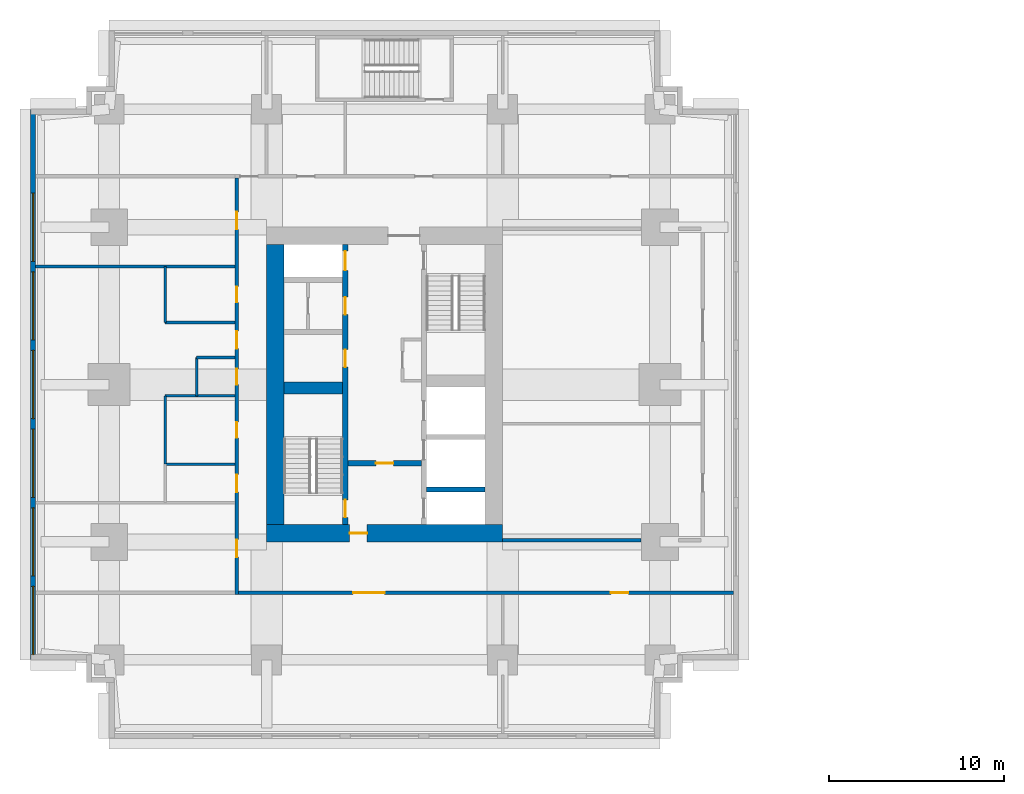
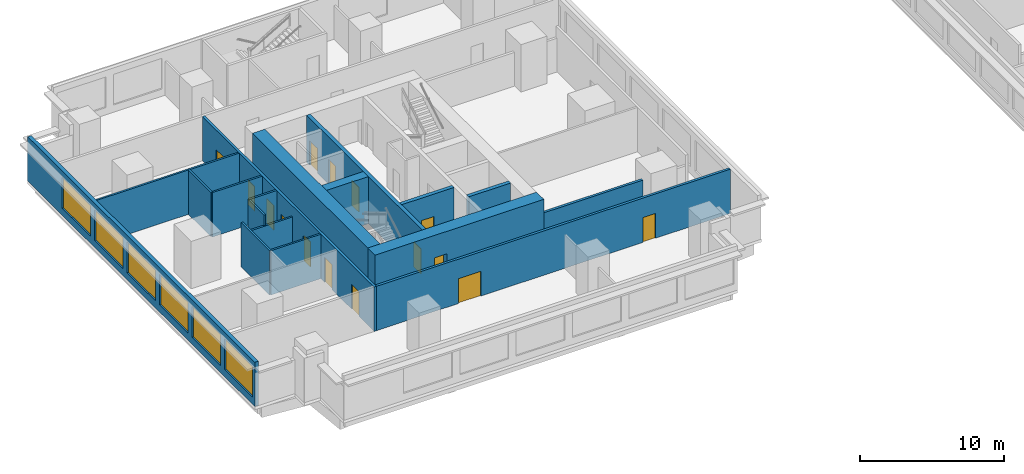
# One storey, part 3 of 10: 18 walls, 15 doors, 6 windows, 21 openings.
"""IFC4 building model written with IfcOpenShell, lengths in metres."""

from ifc_helpers import new_model, si_unit, direction, frame, frame_2d, origin, place, context, subcontext, project, spatial, rectangle, extrude, material, layer, layer_set, type_object, element, fill, save


model = new_model("IFC4")

# Units and contexts
model_context = context("Model", 3, precision=1e-05, world=origin(), true_north=direction((0.0, 1.0)))
body_context = subcontext(model_context, "Body", "Model", "MODEL_VIEW")
ifc_project = project(units=[si_unit("LENGTHUNIT", "METRE"), si_unit("AREAUNIT", "SQUARE_METRE"), si_unit("VOLUMEUNIT", "CUBIC_METRE"), si_unit("PLANEANGLEUNIT", "RADIAN"), si_unit("MASSUNIT", "GRAM", prefix="KILO")], contexts=[model_context])

# Site, building, storey
site_placement = place(None, origin())
site = spatial("IfcSite", under=ifc_project, at=site_placement, CompositionType="ELEMENT")
building_placement = place(site_placement, origin())
building = spatial("IfcBuilding", under=site, at=building_placement, Name="Namib Vertical Campus", CompositionType="ELEMENT")
storey_placement = place(building_placement, frame((0.0, 0.0, 161.0)))
storey = spatial("IfcBuildingStorey", under=building, at=storey_placement, Name="L38", CompositionType="ELEMENT", Elevation=161.0)

# Wall, openings, doors
ifc_material_1 = material(Name="Concrete C60/75", Category="concrete")
ifc_layer_1 = layer(ifc_material_1, 0.300048828125)
ifc_layer_set_1 = layer_set([ifc_layer_1], Name="Concrete C60/75")
wall_type_1 = type_object("IfcWallType", Name="Core inner wall 300", PredefinedType="SHEAR", material=ifc_layer_set_1)
wall_1_placement = place(storey_placement, frame((18.0, 12.25, 0.0), z_axis=(0.0, 0.0, 1.0), x_axis=(0.0, 1.0, 0.0)))
wall_1 = element("IfcWall", 1, at=wall_1_placement, inside=storey, type_object=wall_type_1, Name="Core inner wall A L38 W1", PredefinedType="SHEAR", context=body_context, shape_type="SweptSolid", body=[
    extrude(rectangle(XDim=16.0, YDim=0.300048828125, at=frame_2d((8.0, 0.0))), origin(), (0.0, 0.0, 1.0), 4.0),
])
opening_1_placement = place(wall_1_placement, frame((0.39990234375, 0.0, 0.0)))
opening_1 = element("IfcOpeningElement", 2, at=opening_1_placement, cuts=wall_1, Name="Opening FD1", PredefinedType="OPENING", context=body_context, shape_type="SweptSolid", body=[
    extrude(rectangle(XDim=1.0, YDim=2.10009765625, at=frame_2d((0.5, 1.050048828125))), frame((0.0, 0.159912109375, 0.0), z_axis=(0.0, -1.0, 0.0), x_axis=(1.0, 0.0, 0.0)), (0.0, 0.0, 1.0), 0.320068359375),
])
opening_2_placement = place(wall_1_placement, frame((14.52490234375, 0.0, 0.0)))
opening_2 = element("IfcOpeningElement", 3, at=opening_2_placement, cuts=wall_1, Name="Opening LD1", PredefinedType="OPENING", context=body_context, shape_type="SweptSolid", body=[
    extrude(rectangle(XDim=1.10009765625, YDim=2.10009765625, at=frame_2d((0.550048828125, 1.050048828125))), frame((0.0, 0.159912109375, 0.0), z_axis=(0.0, -1.0, 0.0), x_axis=(1.0, 0.0, 0.0)), (0.0, 0.0, 1.0), 0.320068359375),
])
opening_3_placement = place(wall_1_placement, frame((9.0, 0.0, 0.0)))
opening_3 = element("IfcOpeningElement", 4, at=opening_3_placement, cuts=wall_1, Name="Opening D1", PredefinedType="OPENING", context=body_context, shape_type="SweptSolid", body=[
    extrude(rectangle(XDim=1.0, YDim=2.10009765625, at=frame_2d((0.5, 1.050048828125))), frame((0.0, 0.159912109375, 0.0), z_axis=(0.0, -1.0, 0.0), x_axis=(1.0, 0.0, 0.0)), (0.0, 0.0, 1.0), 0.320068359375),
])
opening_4_placement = place(wall_1_placement, frame((12.0, 0.0, 0.0)))
opening_4 = element("IfcOpeningElement", 5, at=opening_4_placement, cuts=wall_1, Name="Opening D1", PredefinedType="OPENING", context=body_context, shape_type="SweptSolid", body=[
    extrude(rectangle(XDim=1.0, YDim=2.10009765625, at=frame_2d((0.5, 1.050048828125))), frame((0.0, 0.159912109375, 0.0), z_axis=(0.0, -1.0, 0.0), x_axis=(1.0, 0.0, 0.0)), (0.0, 0.0, 1.0), 0.320068359375),
])
ifc_material_2 = material(Name="Timber door leaf", Category="wood")
door_type_1 = type_object("IfcDoorType", Name="Door single 1000x2100", OperationType="SINGLE_SWING_LEFT", PredefinedType="DOOR", material=ifc_material_2)
door_1_placement = place(opening_3_placement, origin())
door_1 = element("IfcDoor", 6, at=door_1_placement, inside=storey, type_object=door_type_1, Name="Door D1 Comms room A L38 P1", OperationType="SINGLE_SWING_LEFT", OverallHeight=2.10009765625, OverallWidth=1.0, PredefinedType="DOOR", context=body_context, shape_type="SweptSolid", body=[
    extrude(rectangle(XDim=1.0, YDim=2.10009765625, at=frame_2d((0.5, 1.050048828125))), frame((0.0, 0.02490234375, 0.0), z_axis=(0.0, -1.0, 0.0), x_axis=(1.0, 0.0, 0.0)), (0.0, 0.0, 1.0), 0.050048828125),
])
fill(opening_3, door_1)
door_2_placement = place(opening_4_placement, origin())
door_2 = element("IfcDoor", 7, at=door_2_placement, inside=storey, type_object=door_type_1, Name="Door D1 Store A L38 P2", OperationType="SINGLE_SWING_LEFT", OverallHeight=2.10009765625, OverallWidth=1.0, PredefinedType="DOOR", context=body_context, shape_type="SweptSolid", body=[
    extrude(rectangle(XDim=1.0, YDim=2.10009765625, at=frame_2d((0.5, 1.050048828125))), frame((0.0, 0.02490234375, 0.0), z_axis=(0.0, -1.0, 0.0), x_axis=(1.0, 0.0, 0.0)), (0.0, 0.0, 1.0), 0.050048828125),
])
fill(opening_4, door_2)
ifc_material_3 = material(Name="Steel fire door", Category="steel")
door_type_2 = type_object("IfcDoorType", Name="Fire door 1000x2100", OperationType="SINGLE_SWING_RIGHT", PredefinedType="DOOR", material=ifc_material_3)
door_3_placement = place(opening_1_placement, origin())
door_3 = element("IfcDoor", 8, at=door_3_placement, inside=storey, type_object=door_type_2, Name="Stair door FD1 A L38 S1", OperationType="SINGLE_SWING_LEFT", OverallHeight=2.10009765625, OverallWidth=1.0, PredefinedType="DOOR", context=body_context, shape_type="SweptSolid", body=[
    extrude(rectangle(XDim=1.0, YDim=2.10009765625, at=frame_2d((0.5, 1.050048828125))), frame((0.0, 0.02490234375, 0.0), z_axis=(0.0, -1.0, 0.0), x_axis=(1.0, 0.0, 0.0)), (0.0, 0.0, 1.0), 0.050048828125),
])
fill(opening_1, door_3)
ifc_material_4 = material(Name="Stainless steel lift door", Category="steel")
door_type_3 = type_object("IfcDoorType", Name="Lift landing door 1100x2100", OperationType="DOUBLE_DOOR_SLIDING", PredefinedType="DOOR", material=ifc_material_4)
door_4_placement = place(opening_2_placement, origin())
door_4 = element("IfcDoor", 9, at=door_4_placement, inside=storey, type_object=door_type_3, Name="Lift landing door LD1 A-P3 L38", OperationType="DOUBLE_DOOR_SLIDING", OverallHeight=2.10009765625, OverallWidth=1.10009765625, PredefinedType="DOOR", context=body_context, shape_type="SweptSolid", body=[
    extrude(rectangle(XDim=1.10009765625, YDim=2.10009765625, at=frame_2d((0.550048828125, 1.050048828125))), frame((0.0, 0.02490234375, 0.0), z_axis=(0.0, -1.0, 0.0), x_axis=(1.0, 0.0, 0.0)), (0.0, 0.0, 1.0), 0.050048828125),
])
fill(opening_2, door_4)

# Wall, opening, door
wall_2_placement = place(storey_placement, frame((18.14990234375, 15.75, 0.0), z_axis=(0.0, 0.0, 1.0), x_axis=(1.0, 0.0, 0.0)))
wall_2 = element("IfcWall", 10, at=wall_2_placement, inside=storey, type_object=wall_type_1, Name="Core inner wall A L38 W4", PredefinedType="SHEAR", context=body_context, shape_type="SweptSolid", body=[
    extrude(rectangle(XDim=4.2001953125, YDim=0.300048828125, at=frame_2d((2.10009765625, 0.0))), origin(), (0.0, 0.0, 1.0), 4.0),
])
opening_5_placement = place(wall_2_placement, frame((1.60009765625, 0.0, 0.0)))
opening_5 = element("IfcOpeningElement", 11, at=opening_5_placement, cuts=wall_2, Name="Opening FD5", PredefinedType="OPENING", context=body_context, shape_type="SweptSolid", body=[
    extrude(rectangle(XDim=1.0, YDim=2.10009765625, at=frame_2d((0.5, 1.050048828125))), frame((0.0, 0.159912109375, 0.0), z_axis=(0.0, -1.0, 0.0), x_axis=(1.0, 0.0, 0.0)), (0.0, 0.0, 1.0), 0.320068359375),
])
ifc_material_5 = material(Name="Steel fire door", Category="steel")
door_type_4 = type_object("IfcDoorType", Name="Fire door 1000x2100 120 min", OperationType="SINGLE_SWING_RIGHT", PredefinedType="DOOR", material=ifc_material_5)
door_5_placement = place(opening_5_placement, frame((1.0, 0.0, 0.0), z_axis=(0.0, 0.0, 1.0), x_axis=(-1.0, 0.0, 0.0)))
door_5 = element("IfcDoor", 12, at=door_5_placement, inside=storey, type_object=door_type_4, Name="Lobby door FD5 A L38", OperationType="SINGLE_SWING_RIGHT", OverallHeight=2.10009765625, OverallWidth=1.0, PredefinedType="DOOR", context=body_context, shape_type="SweptSolid", body=[
    extrude(rectangle(XDim=1.0, YDim=2.10009765625, at=frame_2d((0.5, 1.050048828125))), frame((0.0, 0.02490234375, 0.0), z_axis=(0.0, -1.0, 0.0), x_axis=(1.0, 0.0, 0.0)), (0.0, 0.0, 1.0), 0.050048828125),
])
fill(opening_5, door_5)

# Walls
wall_3_placement = place(storey_placement, frame((22.64990234375, 14.25, 0.0), z_axis=(0.0, 0.0, 1.0), x_axis=(1.0, 0.0, 0.0)))
element("IfcWall", 13, at=wall_3_placement, inside=storey, type_object=wall_type_1, Name="Core inner wall A L38 W5", PredefinedType="SHEAR", context=body_context, shape_type="SweptSolid", body=[
    extrude(rectangle(XDim=3.35009765625, YDim=0.300048828125, at=frame_2d((1.675048828125, 0.0))), origin(), (0.0, 0.0, 1.0), 4.0),
])
ifc_material_6 = material(Name="Concrete C60/75", Category="concrete")
ifc_layer_2 = layer(ifc_material_6, 0.699951171875)
ifc_layer_set_2 = layer_set([ifc_layer_2], Name="Concrete C60/75")
wall_type_2 = type_object("IfcWallType", Name="Core shear wall 700", PredefinedType="SHEAR", material=ifc_layer_set_2)
wall_4_placement = place(storey_placement, frame((14.5, 20.050048828125, 0.0), z_axis=(0.0, 0.0, 1.0), x_axis=(1.0, 0.0, 0.0)))
element("IfcWall", 14, at=wall_4_placement, inside=storey, type_object=wall_type_2, Name="Core shear wall A L38 W3", PredefinedType="SHEAR", context=body_context, shape_type="SweptSolid", body=[
    extrude(rectangle(XDim=3.35009765625, YDim=0.699951171875, at=frame_2d((1.675048828125, 0.0))), origin(), (0.0, 0.0, 1.0), 4.0),
])

# Wall, opening, door
ifc_material_7 = material(Name="Concrete C60/75", Category="concrete")
ifc_layer_3 = layer(ifc_material_7, 1.0)
ifc_layer_set_3 = layer_set([ifc_layer_3], Name="Concrete C60/75")
wall_type_3 = type_object("IfcWallType", Name="Core wall 1000", PredefinedType="SHEAR", material=ifc_layer_set_3)
wall_5_placement = place(storey_placement, frame((13.5, 11.75, 0.0), z_axis=(0.0, 0.0, 1.0), x_axis=(1.0, 0.0, 0.0)))
wall_5 = element("IfcWall", 15, at=wall_5_placement, inside=storey, type_object=wall_type_3, Name="Core wall A L38 1", PredefinedType="SHEAR", context=body_context, shape_type="SweptSolid", body=[
    extrude(rectangle(XDim=13.5, YDim=1.0, at=frame_2d((6.75, 0.0))), origin(), (0.0, 0.0, 1.0), 4.0),
])
opening_6_placement = place(wall_5_placement, frame((4.75, 0.0, 0.0)))
opening_6 = element("IfcOpeningElement", 16, at=opening_6_placement, cuts=wall_5, Name="Opening FD5", PredefinedType="OPENING", context=body_context, shape_type="SweptSolid", body=[
    extrude(rectangle(XDim=1.0, YDim=2.10009765625, at=frame_2d((0.5, 1.050048828125))), frame((0.0, 0.510009765625, 0.0), z_axis=(0.0, -1.0, 0.0), x_axis=(1.0, 0.0, 0.0)), (0.0, 0.0, 1.0), 1.02001953125),
])
door_6_placement = place(opening_6_placement, origin())
door_6 = element("IfcDoor", 17, at=door_6_placement, inside=storey, type_object=door_type_4, Name="Firefighting lobby door FD5 A L38", OperationType="SINGLE_SWING_LEFT", OverallHeight=2.10009765625, OverallWidth=1.0, PredefinedType="DOOR", context=body_context, shape_type="SweptSolid", body=[
    extrude(rectangle(XDim=1.0, YDim=2.10009765625, at=frame_2d((0.5, 1.050048828125))), frame((0.0, 0.02490234375, 0.0), z_axis=(0.0, -1.0, 0.0), x_axis=(1.0, 0.0, 0.0)), (0.0, 0.0, 1.0), 0.050048828125),
])
fill(opening_6, door_6)

# Wall
wall_6_placement = place(storey_placement, frame((14.0, 28.25, 0.0), z_axis=(0.0, 0.0, 1.0), x_axis=(0.0, -1.0, 0.0)))
element("IfcWall", 18, at=wall_6_placement, inside=storey, type_object=wall_type_3, Name="Core wall A L38 4", PredefinedType="SHEAR", context=body_context, shape_type="SweptSolid", body=[
    extrude(rectangle(XDim=16.0, YDim=1.0, at=frame_2d((8.0, 0.0))), origin(), (0.0, 0.0, 1.0), 4.0),
])

# Wall, openings, doors
ifc_material_8 = material(Name="Concrete masonry", Category="masonry")
ifc_layer_4 = layer(ifc_material_8, 0.199951171875)
ifc_layer_set_4 = layer_set([ifc_layer_4], Name="Corridor wall 200")
wall_type_4 = type_object("IfcWallType", Name="Corridor wall 200", PredefinedType="SOLIDWALL", material=ifc_layer_set_4)
wall_7_placement = place(storey_placement, frame((11.89990234375, 8.35009765625, 0.0), z_axis=(0.0, 0.0, 1.0), x_axis=(1.0, 0.0, 0.0)))
wall_7 = element("IfcWall", 19, at=wall_7_placement, inside=storey, type_object=wall_type_4, Name="Corridor wall A L38 CS", PredefinedType="SOLIDWALL", context=body_context, shape_type="SweptSolid", body=[
    extrude(rectangle(XDim=28.300048828125, YDim=0.199951171875, at=frame_2d((14.14990234375, 0.0))), origin(), (0.0, 0.0, 1.0), 3.75),
])
opening_7_placement = place(wall_7_placement, frame((6.550048828125, 0.0, 0.0)))
opening_7 = element("IfcOpeningElement", 20, at=opening_7_placement, cuts=wall_7, Name="Opening CD2", PredefinedType="OPENING", context=body_context, shape_type="SweptSolid", body=[
    extrude(rectangle(XDim=1.800048828125, YDim=2.10009765625, at=frame_2d((0.89990234375, 1.050048828125))), frame((0.0, 0.10986328125, 0.0), z_axis=(0.0, -1.0, 0.0), x_axis=(1.0, 0.0, 0.0)), (0.0, 0.0, 1.0), 0.219970703125),
])
opening_8_placement = place(wall_7_placement, frame((21.300048828125, 0.0, 0.0)))
opening_8 = element("IfcOpeningElement", 21, at=opening_8_placement, cuts=wall_7, Name="Opening CD1", PredefinedType="OPENING", context=body_context, shape_type="SweptSolid", body=[
    extrude(rectangle(XDim=1.0, YDim=2.10009765625, at=frame_2d((0.5, 1.050048828125))), frame((0.0, 0.10986328125, 0.0), z_axis=(0.0, -1.0, 0.0), x_axis=(1.0, 0.0, 0.0)), (0.0, 0.0, 1.0), 0.219970703125),
])
ifc_material_9 = material(Name="Timber fire door leaf", Category="wood")
door_type_5 = type_object("IfcDoorType", Name="Corridor door 1000x2100 20 min", OperationType="SINGLE_SWING_LEFT", PredefinedType="DOOR", material=ifc_material_9)
door_7_placement = place(opening_8_placement, frame((1.0, 0.0, 0.0), z_axis=(0.0, 0.0, 1.0), x_axis=(-1.0, 0.0, 0.0)))
door_7 = element("IfcDoor", 22, at=door_7_placement, inside=storey, type_object=door_type_5, Name="Door CD1 A38-02", OperationType="SINGLE_SWING_RIGHT", OverallHeight=2.10009765625, OverallWidth=1.0, PredefinedType="DOOR", context=body_context, shape_type="SweptSolid", body=[
    extrude(rectangle(XDim=1.0, YDim=2.10009765625, at=frame_2d((0.5, 1.050048828125))), frame((0.0, 0.02490234375, 0.0), z_axis=(0.0, -1.0, 0.0), x_axis=(1.0, 0.0, 0.0)), (0.0, 0.0, 1.0), 0.050048828125),
])
fill(opening_8, door_7)
ifc_material_10 = material(Name="Timber fire door leaf", Category="wood")
door_type_6 = type_object("IfcDoorType", Name="Corridor door double 1800x2100 20 min", OperationType="DOUBLE_DOOR_SINGLE_SWING", PredefinedType="DOOR", material=ifc_material_10)
door_8_placement = place(opening_7_placement, frame((1.800048828125, 0.0, 0.0), z_axis=(0.0, 0.0, 1.0), x_axis=(-1.0, 0.0, 0.0)))
door_8 = element("IfcDoor", 23, at=door_8_placement, inside=storey, type_object=door_type_6, Name="Door CD2 A38-01", OperationType="DOUBLE_DOOR_SINGLE_SWING", OverallHeight=2.10009765625, OverallWidth=1.800048828125, PredefinedType="DOOR", context=body_context, shape_type="SweptSolid", body=[
    extrude(rectangle(XDim=1.800048828125, YDim=2.10009765625, at=frame_2d((0.89990234375, 1.050048828125))), frame((0.0, 0.02490234375, 0.0), z_axis=(0.0, -1.0, 0.0), x_axis=(1.0, 0.0, 0.0)), (0.0, 0.0, 1.0), 0.050048828125),
])
fill(opening_7, door_8)

wall_8_placement = place(storey_placement, frame((11.800048828125, 32.050048828125, 0.0), z_axis=(0.0, 0.0, 1.0), x_axis=(0.0, -1.0, 0.0)))
wall_8 = element("IfcWall", 24, at=wall_8_placement, inside=storey, type_object=wall_type_4, Name="Corridor wall A L38 CW", PredefinedType="SOLIDWALL", context=body_context, shape_type="SweptSolid", body=[
    extrude(rectangle(XDim=23.800048828125, YDim=0.199951171875, at=frame_2d((11.89990234375, 0.0))), origin(), (0.0, 0.0, 1.0), 3.75),
])
opening_9_placement = place(wall_8_placement, frame((20.675048828125, 0.0, 0.0)))
opening_9 = element("IfcOpeningElement", 25, at=opening_9_placement, cuts=wall_8, Name="Opening CD1", PredefinedType="OPENING", context=body_context, shape_type="SweptSolid", body=[
    extrude(rectangle(XDim=1.0, YDim=2.10009765625, at=frame_2d((0.5, 1.050048828125))), frame((0.0, 0.10986328125, 0.0), z_axis=(0.0, -1.0, 0.0), x_axis=(1.0, 0.0, 0.0)), (0.0, 0.0, 1.0), 0.219970703125),
])
opening_10_placement = place(wall_8_placement, frame((16.949951171875, 0.0, 0.0)))
opening_10 = element("IfcOpeningElement", 26, at=opening_10_placement, cuts=wall_8, Name="Opening CD1", PredefinedType="OPENING", context=body_context, shape_type="SweptSolid", body=[
    extrude(rectangle(XDim=1.0, YDim=2.10009765625, at=frame_2d((0.5, 1.050048828125))), frame((0.0, 0.10986328125, 0.0), z_axis=(0.0, -1.0, 0.0), x_axis=(1.0, 0.0, 0.0)), (0.0, 0.0, 1.0), 0.219970703125),
])
opening_11_placement = place(wall_8_placement, frame((13.949951171875, 0.0, 0.0)))
opening_11 = element("IfcOpeningElement", 27, at=opening_11_placement, cuts=wall_8, Name="Opening CD3", PredefinedType="OPENING", context=body_context, shape_type="SweptSolid", body=[
    extrude(rectangle(XDim=0.89990234375, YDim=2.10009765625, at=frame_2d((0.449951171875, 1.050048828125))), frame((0.0, 0.10986328125, 0.0), z_axis=(0.0, -1.0, 0.0), x_axis=(1.0, 0.0, 0.0)), (0.0, 0.0, 1.0), 0.219970703125),
])
opening_12_placement = place(wall_8_placement, frame((10.89990234375, 0.0, 0.0)))
opening_12 = element("IfcOpeningElement", 28, at=opening_12_placement, cuts=wall_8, Name="Opening CD3", PredefinedType="OPENING", context=body_context, shape_type="SweptSolid", body=[
    extrude(rectangle(XDim=0.89990234375, YDim=2.10009765625, at=frame_2d((0.449951171875, 1.050048828125))), frame((0.0, 0.10986328125, 0.0), z_axis=(0.0, -1.0, 0.0), x_axis=(1.0, 0.0, 0.0)), (0.0, 0.0, 1.0), 0.219970703125),
])
opening_13_placement = place(wall_8_placement, frame((6.199951171875, 0.0, 0.0)))
opening_13 = element("IfcOpeningElement", 29, at=opening_13_placement, cuts=wall_8, Name="Opening CD3", PredefinedType="OPENING", context=body_context, shape_type="SweptSolid", body=[
    extrude(rectangle(XDim=0.89990234375, YDim=2.10009765625, at=frame_2d((0.449951171875, 1.050048828125))), frame((0.0, 0.10986328125, 0.0), z_axis=(0.0, -1.0, 0.0), x_axis=(1.0, 0.0, 0.0)), (0.0, 0.0, 1.0), 0.219970703125),
])
opening_14_placement = place(wall_8_placement, frame((8.75, 0.0, 0.0)))
opening_14 = element("IfcOpeningElement", 30, at=opening_14_placement, cuts=wall_8, Name="Opening CD1", PredefinedType="OPENING", context=body_context, shape_type="SweptSolid", body=[
    extrude(rectangle(XDim=1.0, YDim=2.10009765625, at=frame_2d((0.5, 1.050048828125))), frame((0.0, 0.10986328125, 0.0), z_axis=(0.0, -1.0, 0.0), x_axis=(1.0, 0.0, 0.0)), (0.0, 0.0, 1.0), 0.219970703125),
])
opening_15_placement = place(wall_8_placement, frame((1.925048828125, 0.0, 0.0)))
opening_15 = element("IfcOpeningElement", 31, at=opening_15_placement, cuts=wall_8, Name="Opening CD1", PredefinedType="OPENING", context=body_context, shape_type="SweptSolid", body=[
    extrude(rectangle(XDim=1.0, YDim=2.10009765625, at=frame_2d((0.5, 1.050048828125))), frame((0.0, 0.10986328125, 0.0), z_axis=(0.0, -1.0, 0.0), x_axis=(1.0, 0.0, 0.0)), (0.0, 0.0, 1.0), 0.219970703125),
])
door_9_placement = place(opening_9_placement, frame((1.0, 0.0, 0.0), z_axis=(0.0, 0.0, 1.0), x_axis=(-1.0, 0.0, 0.0)))
door_9 = element("IfcDoor", 32, at=door_9_placement, inside=storey, type_object=door_type_5, Name="Door CD1 A38-09", OperationType="SINGLE_SWING_RIGHT", OverallHeight=2.10009765625, OverallWidth=1.0, PredefinedType="DOOR", context=body_context, shape_type="SweptSolid", body=[
    extrude(rectangle(XDim=1.0, YDim=2.10009765625, at=frame_2d((0.5, 1.050048828125))), frame((0.0, 0.02490234375, 0.0), z_axis=(0.0, -1.0, 0.0), x_axis=(1.0, 0.0, 0.0)), (0.0, 0.0, 1.0), 0.050048828125),
])
fill(opening_9, door_9)
door_10_placement = place(opening_10_placement, frame((1.0, 0.0, 0.0), z_axis=(0.0, 0.0, 1.0), x_axis=(-1.0, 0.0, 0.0)))
door_10 = element("IfcDoor", 33, at=door_10_placement, inside=storey, type_object=door_type_5, Name="Door CD1 A38-10", OperationType="SINGLE_SWING_RIGHT", OverallHeight=2.10009765625, OverallWidth=1.0, PredefinedType="DOOR", context=body_context, shape_type="SweptSolid", body=[
    extrude(rectangle(XDim=1.0, YDim=2.10009765625, at=frame_2d((0.5, 1.050048828125))), frame((0.0, 0.02490234375, 0.0), z_axis=(0.0, -1.0, 0.0), x_axis=(1.0, 0.0, 0.0)), (0.0, 0.0, 1.0), 0.050048828125),
])
fill(opening_10, door_10)
door_11_placement = place(opening_14_placement, frame((1.0, 0.0, 0.0), z_axis=(0.0, 0.0, 1.0), x_axis=(-1.0, 0.0, 0.0)))
door_11 = element("IfcDoor", 34, at=door_11_placement, inside=storey, type_object=door_type_5, Name="Door CD1 A38-14", OperationType="SINGLE_SWING_RIGHT", OverallHeight=2.10009765625, OverallWidth=1.0, PredefinedType="DOOR", context=body_context, shape_type="SweptSolid", body=[
    extrude(rectangle(XDim=1.0, YDim=2.10009765625, at=frame_2d((0.5, 1.050048828125))), frame((0.0, 0.02490234375, 0.0), z_axis=(0.0, -1.0, 0.0), x_axis=(1.0, 0.0, 0.0)), (0.0, 0.0, 1.0), 0.050048828125),
])
fill(opening_14, door_11)
door_12_placement = place(opening_15_placement, frame((1.0, 0.0, 0.0), z_axis=(0.0, 0.0, 1.0), x_axis=(-1.0, 0.0, 0.0)))
door_12 = element("IfcDoor", 35, at=door_12_placement, inside=storey, type_object=door_type_5, Name="Door CD1 A38-15", OperationType="SINGLE_SWING_RIGHT", OverallHeight=2.10009765625, OverallWidth=1.0, PredefinedType="DOOR", context=body_context, shape_type="SweptSolid", body=[
    extrude(rectangle(XDim=1.0, YDim=2.10009765625, at=frame_2d((0.5, 1.050048828125))), frame((0.0, 0.02490234375, 0.0), z_axis=(0.0, -1.0, 0.0), x_axis=(1.0, 0.0, 0.0)), (0.0, 0.0, 1.0), 0.050048828125),
])
fill(opening_15, door_12)
ifc_material_11 = material(Name="Timber fire door leaf", Category="wood")
door_type_7 = type_object("IfcDoorType", Name="Corridor toilet door 900x2100 20 min", OperationType="SINGLE_SWING_LEFT", PredefinedType="DOOR", material=ifc_material_11)
door_13_placement = place(opening_11_placement, frame((0.89990234375, 0.0, 0.0), z_axis=(0.0, 0.0, 1.0), x_axis=(-1.0, 0.0, 0.0)))
door_13 = element("IfcDoor", 36, at=door_13_placement, inside=storey, type_object=door_type_7, Name="Door CD3 A38-11", OperationType="SINGLE_SWING_RIGHT", OverallHeight=2.10009765625, OverallWidth=0.89990234375, PredefinedType="DOOR", context=body_context, shape_type="SweptSolid", body=[
    extrude(rectangle(XDim=0.89990234375, YDim=2.10009765625, at=frame_2d((0.449951171875, 1.050048828125))), frame((0.0, 0.02490234375, 0.0), z_axis=(0.0, -1.0, 0.0), x_axis=(1.0, 0.0, 0.0)), (0.0, 0.0, 1.0), 0.050048828125),
])
fill(opening_11, door_13)
door_14_placement = place(opening_12_placement, frame((0.89990234375, 0.0, 0.0), z_axis=(0.0, 0.0, 1.0), x_axis=(-1.0, 0.0, 0.0)))
door_14 = element("IfcDoor", 37, at=door_14_placement, inside=storey, type_object=door_type_7, Name="Door CD3 A38-12", OperationType="SINGLE_SWING_RIGHT", OverallHeight=2.10009765625, OverallWidth=0.89990234375, PredefinedType="DOOR", context=body_context, shape_type="SweptSolid", body=[
    extrude(rectangle(XDim=0.89990234375, YDim=2.10009765625, at=frame_2d((0.449951171875, 1.050048828125))), frame((0.0, 0.02490234375, 0.0), z_axis=(0.0, -1.0, 0.0), x_axis=(1.0, 0.0, 0.0)), (0.0, 0.0, 1.0), 0.050048828125),
])
fill(opening_12, door_14)
door_15_placement = place(opening_13_placement, frame((0.89990234375, 0.0, 0.0), z_axis=(0.0, 0.0, 1.0), x_axis=(-1.0, 0.0, 0.0)))
door_15 = element("IfcDoor", 38, at=door_15_placement, inside=storey, type_object=door_type_7, Name="Door CD3 A38-13", OperationType="SINGLE_SWING_RIGHT", OverallHeight=2.10009765625, OverallWidth=0.89990234375, PredefinedType="DOOR", context=body_context, shape_type="SweptSolid", body=[
    extrude(rectangle(XDim=0.89990234375, YDim=2.10009765625, at=frame_2d((0.449951171875, 1.050048828125))), frame((0.0, 0.02490234375, 0.0), z_axis=(0.0, -1.0, 0.0), x_axis=(1.0, 0.0, 0.0)), (0.0, 0.0, 1.0), 0.050048828125),
])
fill(opening_13, door_15)

# Wall
wall_9_placement = place(storey_placement, frame((27.0, 11.35009765625, 0.0), z_axis=(0.0, 0.0, 1.0), x_axis=(1.0, 0.0, 0.0)))
element("IfcWall", 39, at=wall_9_placement, inside=storey, type_object=wall_type_4, Name="Corridor wall A L38 GS", PredefinedType="SOLIDWALL", context=body_context, shape_type="SweptSolid", body=[
    extrude(rectangle(XDim=7.929931640625, YDim=0.199951171875, at=frame_2d((3.96484375, 0.0))), origin(), (0.0, 0.0, 1.0), 2.85009765625),
])

# Wall, openings, windows
ifc_material_12 = material(Name="Concrete C40/50", Category="concrete")
ifc_layer_5 = layer(ifc_material_12, 0.300048828125)
ifc_layer_set_5 = layer_set([ifc_layer_5], Name="Concrete C40/50")
wall_type_5 = type_object("IfcWallType", Name="External wall 300 board-marked concrete", PredefinedType="STANDARD", material=ifc_layer_set_5)
wall_10_placement = place(storey_placement, frame((0.14990234375, 35.97998046875, 0.0), z_axis=(0.0, 0.0, 1.0), x_axis=(0.0, -1.0, 0.0)))
wall_10 = element("IfcWall", 40, at=wall_10_placement, inside=storey, type_object=wall_type_5, Name="External wall L38 F16", PredefinedType="STANDARD", context=body_context, shape_type="SweptSolid", body=[
    extrude(rectangle(XDim=31.4599609375, YDim=0.300048828125, at=frame_2d((15.72998046875, 0.0))), origin(), (0.0, 0.0, 1.0), 3.75),
])
opening_16_placement = place(wall_10_placement, frame((27.280029296875, 0.0, 0.60009765625)))
opening_16 = element("IfcOpeningElement", 41, at=opening_16_placement, cuts=wall_10, Name="Opening W2", PredefinedType="OPENING", context=body_context, shape_type="SweptSolid", body=[
    extrude(rectangle(XDim=3.89990234375, YDim=2.60009765625, at=frame_2d((1.949951171875, 1.300048828125))), frame((0.0, 0.159912109375, 0.0), z_axis=(0.0, -1.0, 0.0), x_axis=(1.0, 0.0, 0.0)), (0.0, 0.0, 1.0), 0.320068359375),
])
opening_17_placement = place(wall_10_placement, frame((22.780029296875, 0.0, 0.60009765625)))
opening_17 = element("IfcOpeningElement", 42, at=opening_17_placement, cuts=wall_10, Name="Opening W2", PredefinedType="OPENING", context=body_context, shape_type="SweptSolid", body=[
    extrude(rectangle(XDim=3.89990234375, YDim=2.60009765625, at=frame_2d((1.949951171875, 1.300048828125))), frame((0.0, 0.159912109375, 0.0), z_axis=(0.0, -1.0, 0.0), x_axis=(1.0, 0.0, 0.0)), (0.0, 0.0, 1.0), 0.320068359375),
])
opening_18_placement = place(wall_10_placement, frame((18.280029296875, 0.0, 0.60009765625)))
opening_18 = element("IfcOpeningElement", 43, at=opening_18_placement, cuts=wall_10, Name="Opening W2", PredefinedType="OPENING", context=body_context, shape_type="SweptSolid", body=[
    extrude(rectangle(XDim=3.89990234375, YDim=2.60009765625, at=frame_2d((1.949951171875, 1.300048828125))), frame((0.0, 0.159912109375, 0.0), z_axis=(0.0, -1.0, 0.0), x_axis=(1.0, 0.0, 0.0)), (0.0, 0.0, 1.0), 0.320068359375),
])
opening_19_placement = place(wall_10_placement, frame((13.780029296875, 0.0, 0.60009765625)))
opening_19 = element("IfcOpeningElement", 44, at=opening_19_placement, cuts=wall_10, Name="Opening W2", PredefinedType="OPENING", context=body_context, shape_type="SweptSolid", body=[
    extrude(rectangle(XDim=3.89990234375, YDim=2.60009765625, at=frame_2d((1.949951171875, 1.300048828125))), frame((0.0, 0.159912109375, 0.0), z_axis=(0.0, -1.0, 0.0), x_axis=(1.0, 0.0, 0.0)), (0.0, 0.0, 1.0), 0.320068359375),
])
opening_20_placement = place(wall_10_placement, frame((9.280029296875, 0.0, 0.60009765625)))
opening_20 = element("IfcOpeningElement", 45, at=opening_20_placement, cuts=wall_10, Name="Opening W2", PredefinedType="OPENING", context=body_context, shape_type="SweptSolid", body=[
    extrude(rectangle(XDim=3.89990234375, YDim=2.60009765625, at=frame_2d((1.949951171875, 1.300048828125))), frame((0.0, 0.159912109375, 0.0), z_axis=(0.0, -1.0, 0.0), x_axis=(1.0, 0.0, 0.0)), (0.0, 0.0, 1.0), 0.320068359375),
])
opening_21_placement = place(wall_10_placement, frame((4.780029296875, 0.0, 0.60009765625)))
opening_21 = element("IfcOpeningElement", 46, at=opening_21_placement, cuts=wall_10, Name="Opening W2", PredefinedType="OPENING", context=body_context, shape_type="SweptSolid", body=[
    extrude(rectangle(XDim=3.89990234375, YDim=2.60009765625, at=frame_2d((1.949951171875, 1.300048828125))), frame((0.0, 0.159912109375, 0.0), z_axis=(0.0, -1.0, 0.0), x_axis=(1.0, 0.0, 0.0)), (0.0, 0.0, 1.0), 0.320068359375),
])
ifc_material_13 = material(Name="Dark tinted glass in black aluminium frame", Category="aluminium")
window_type = type_object("IfcWindowType", Name="Ribbon window 3900x2600", PartitioningType="SINGLE_PANEL", PredefinedType="WINDOW", material=ifc_material_13)
window_1_placement = place(opening_16_placement, origin())
window_1 = element("IfcWindow", 47, at=window_1_placement, inside=storey, type_object=window_type, Name="Window W2 L38 F16-1", OverallHeight=2.60009765625, OverallWidth=3.89990234375, PartitioningType="SINGLE_PANEL", PredefinedType="WINDOW", context=body_context, shape_type="SweptSolid", body=[
    extrude(rectangle(XDim=3.89990234375, YDim=2.60009765625, at=frame_2d((1.949951171875, 1.300048828125))), frame((0.0, 0.030029296875, 0.0), z_axis=(0.0, -1.0, 0.0), x_axis=(1.0, 0.0, 0.0)), (0.0, 0.0, 1.0), 0.06005859375),
])
fill(opening_16, window_1)
window_2_placement = place(opening_17_placement, origin())
window_2 = element("IfcWindow", 48, at=window_2_placement, inside=storey, type_object=window_type, Name="Window W2 L38 F16-2", OverallHeight=2.60009765625, OverallWidth=3.89990234375, PartitioningType="SINGLE_PANEL", PredefinedType="WINDOW", context=body_context, shape_type="SweptSolid", body=[
    extrude(rectangle(XDim=3.89990234375, YDim=2.60009765625, at=frame_2d((1.949951171875, 1.300048828125))), frame((0.0, 0.030029296875, 0.0), z_axis=(0.0, -1.0, 0.0), x_axis=(1.0, 0.0, 0.0)), (0.0, 0.0, 1.0), 0.06005859375),
])
fill(opening_17, window_2)
window_3_placement = place(opening_18_placement, origin())
window_3 = element("IfcWindow", 49, at=window_3_placement, inside=storey, type_object=window_type, Name="Window W2 L38 F16-3", OverallHeight=2.60009765625, OverallWidth=3.89990234375, PartitioningType="SINGLE_PANEL", PredefinedType="WINDOW", context=body_context, shape_type="SweptSolid", body=[
    extrude(rectangle(XDim=3.89990234375, YDim=2.60009765625, at=frame_2d((1.949951171875, 1.300048828125))), frame((0.0, 0.030029296875, 0.0), z_axis=(0.0, -1.0, 0.0), x_axis=(1.0, 0.0, 0.0)), (0.0, 0.0, 1.0), 0.06005859375),
])
fill(opening_18, window_3)
window_4_placement = place(opening_19_placement, origin())
window_4 = element("IfcWindow", 50, at=window_4_placement, inside=storey, type_object=window_type, Name="Window W2 L38 F16-4", OverallHeight=2.60009765625, OverallWidth=3.89990234375, PartitioningType="SINGLE_PANEL", PredefinedType="WINDOW", context=body_context, shape_type="SweptSolid", body=[
    extrude(rectangle(XDim=3.89990234375, YDim=2.60009765625, at=frame_2d((1.949951171875, 1.300048828125))), frame((0.0, 0.030029296875, 0.0), z_axis=(0.0, -1.0, 0.0), x_axis=(1.0, 0.0, 0.0)), (0.0, 0.0, 1.0), 0.06005859375),
])
fill(opening_19, window_4)
window_5_placement = place(opening_20_placement, origin())
window_5 = element("IfcWindow", 51, at=window_5_placement, inside=storey, type_object=window_type, Name="Window W2 L38 F16-5", OverallHeight=2.60009765625, OverallWidth=3.89990234375, PartitioningType="SINGLE_PANEL", PredefinedType="WINDOW", context=body_context, shape_type="SweptSolid", body=[
    extrude(rectangle(XDim=3.89990234375, YDim=2.60009765625, at=frame_2d((1.949951171875, 1.300048828125))), frame((0.0, 0.030029296875, 0.0), z_axis=(0.0, -1.0, 0.0), x_axis=(1.0, 0.0, 0.0)), (0.0, 0.0, 1.0), 0.06005859375),
])
fill(opening_20, window_5)
window_6_placement = place(opening_21_placement, origin())
window_6 = element("IfcWindow", 52, at=window_6_placement, inside=storey, type_object=window_type, Name="Window W2 L38 F16-6", OverallHeight=2.60009765625, OverallWidth=3.89990234375, PartitioningType="SINGLE_PANEL", PredefinedType="WINDOW", context=body_context, shape_type="SweptSolid", body=[
    extrude(rectangle(XDim=3.89990234375, YDim=2.60009765625, at=frame_2d((1.949951171875, 1.300048828125))), frame((0.0, 0.030029296875, 0.0), z_axis=(0.0, -1.0, 0.0), x_axis=(1.0, 0.0, 0.0)), (0.0, 0.0, 1.0), 0.06005859375),
])
fill(opening_21, window_6)

# Walls
ifc_material_14 = material(Name="Gypsum board on steel studs", Category="steel")
ifc_layer_6 = layer(ifc_material_14, 0.14990234375)
ifc_layer_set_6 = layer_set([ifc_layer_6], Name="Gypsum board on steel studs")
wall_type_6 = type_object("IfcWallType", Name="Partition 150", PredefinedType="PARTITIONING", material=ifc_layer_set_6)
wall_11_placement = place(storey_placement, frame((0.300048828125, 27.0, 0.0), z_axis=(0.0, 0.0, 1.0), x_axis=(1.0, 0.0, 0.0)))
element("IfcWall", 53, at=wall_11_placement, inside=storey, type_object=wall_type_6, Name="Partition A L38 PW2", PredefinedType="PARTITIONING", context=body_context, shape_type="SweptSolid", body=[
    extrude(rectangle(XDim=11.39990234375, YDim=0.14990234375, at=frame_2d((5.699951171875, 0.0))), origin(), (0.0, 0.0, 1.0), 3.75),
])
wall_12_placement = place(storey_placement, frame((11.699951171875, 15.699951171875, 0.0), z_axis=(0.0, 0.0, 1.0), x_axis=(-1.0, 0.0, 0.0)))
element("IfcWall", 54, at=wall_12_placement, inside=storey, type_object=wall_type_6, Name="Partition A L38 WR1", PredefinedType="PARTITIONING", context=body_context, shape_type="SweptSolid", body=[
    extrude(rectangle(XDim=4.0, YDim=0.14990234375, at=frame_2d((2.0, 0.0))), origin(), (0.0, 0.0, 1.0), 3.75),
])
wall_13_placement = place(storey_placement, frame((11.699951171875, 19.60009765625, 0.0), z_axis=(0.0, 0.0, 1.0), x_axis=(-1.0, 0.0, 0.0)))
element("IfcWall", 55, at=wall_13_placement, inside=storey, type_object=wall_type_6, Name="Partition A L38 WR2", PredefinedType="PARTITIONING", context=body_context, shape_type="SweptSolid", body=[
    extrude(rectangle(XDim=4.0, YDim=0.14990234375, at=frame_2d((2.0, 0.0))), origin(), (0.0, 0.0, 1.0), 2.85009765625),
])
wall_14_placement = place(storey_placement, frame((11.699951171875, 21.800048828125, 0.0), z_axis=(0.0, 0.0, 1.0), x_axis=(-1.0, 0.0, 0.0)))
element("IfcWall", 56, at=wall_14_placement, inside=storey, type_object=wall_type_6, Name="Partition A L38 WR3", PredefinedType="PARTITIONING", context=body_context, shape_type="SweptSolid", body=[
    extrude(rectangle(XDim=2.199951171875, YDim=0.14990234375, at=frame_2d((1.10009765625, 0.0))), origin(), (0.0, 0.0, 1.0), 3.75),
])
wall_15_placement = place(storey_placement, frame((11.699951171875, 23.800048828125, 0.0), z_axis=(0.0, 0.0, 1.0), x_axis=(-1.0, 0.0, 0.0)))
element("IfcWall", 57, at=wall_15_placement, inside=storey, type_object=wall_type_6, Name="Partition A L38 WR4", PredefinedType="PARTITIONING", context=body_context, shape_type="SweptSolid", body=[
    extrude(rectangle(XDim=4.0, YDim=0.14990234375, at=frame_2d((2.0, 0.0))), origin(), (0.0, 0.0, 1.0), 3.75),
])
wall_16_placement = place(storey_placement, frame((7.699951171875, 15.699951171875, 0.0), z_axis=(0.0, 0.0, 1.0), x_axis=(0.0, 1.0, 0.0)))
element("IfcWall", 58, at=wall_16_placement, inside=storey, type_object=wall_type_6, Name="Partition A L38 WB2", PredefinedType="PARTITIONING", context=body_context, shape_type="SweptSolid", body=[
    extrude(rectangle(XDim=3.900146484375, YDim=0.14990234375, at=frame_2d((1.9501953125, 0.0))), origin(), (0.0, 0.0, 1.0), 3.75),
])
wall_17_placement = place(storey_placement, frame((9.5, 19.60009765625, 0.0), z_axis=(0.0, 0.0, 1.0), x_axis=(0.0, 1.0, 0.0)))
element("IfcWall", 59, at=wall_17_placement, inside=storey, type_object=wall_type_6, Name="Partition A L38 WB3", PredefinedType="PARTITIONING", context=body_context, shape_type="SweptSolid", body=[
    extrude(rectangle(XDim=2.199951171875, YDim=0.14990234375, at=frame_2d((1.10009765625, 0.0))), origin(), (0.0, 0.0, 1.0), 3.75),
])
wall_18_placement = place(storey_placement, frame((7.699951171875, 23.800048828125, 0.0), z_axis=(0.0, 0.0, 1.0), x_axis=(0.0, 1.0, 0.0)))
element("IfcWall", 60, at=wall_18_placement, inside=storey, type_object=wall_type_6, Name="Partition A L38 WB4", PredefinedType="PARTITIONING", context=body_context, shape_type="SweptSolid", body=[
    extrude(rectangle(XDim=3.199951171875, YDim=0.14990234375, at=frame_2d((1.60009765625, 0.0))), origin(), (0.0, 0.0, 1.0), 3.75),
])

save(model, "model.ifc")
